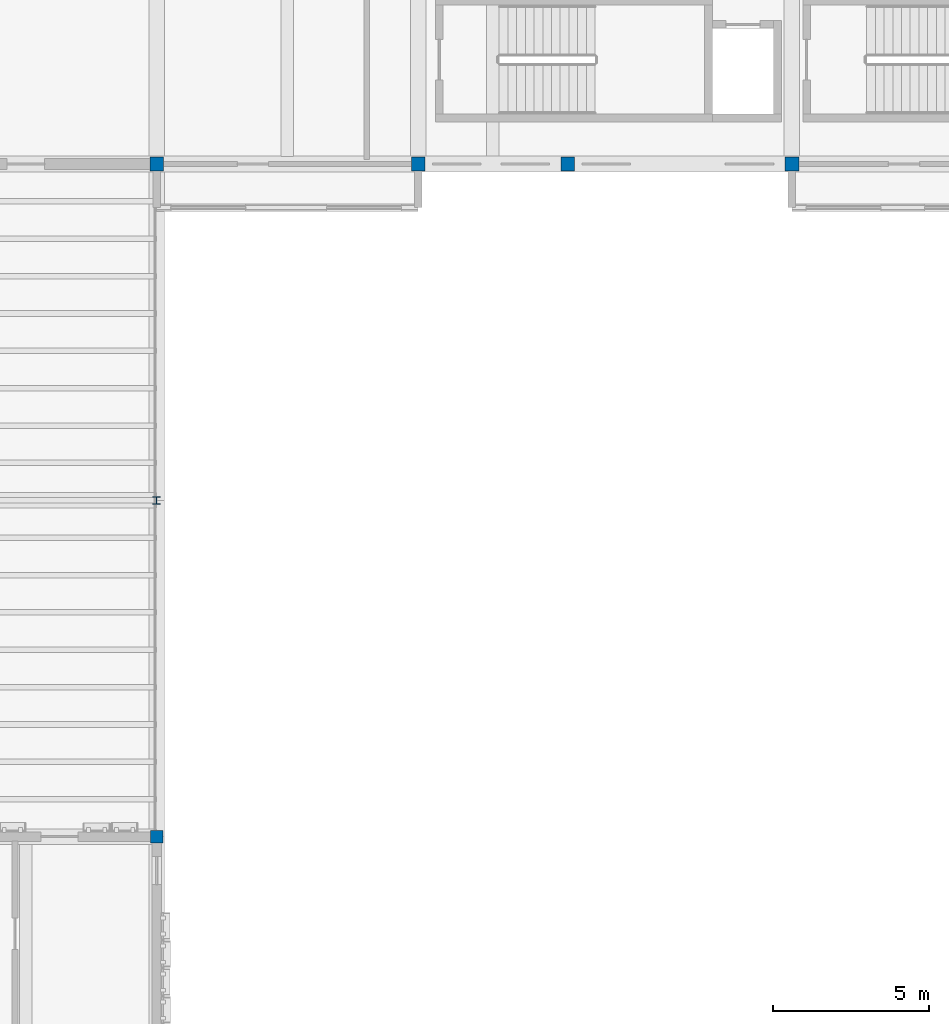
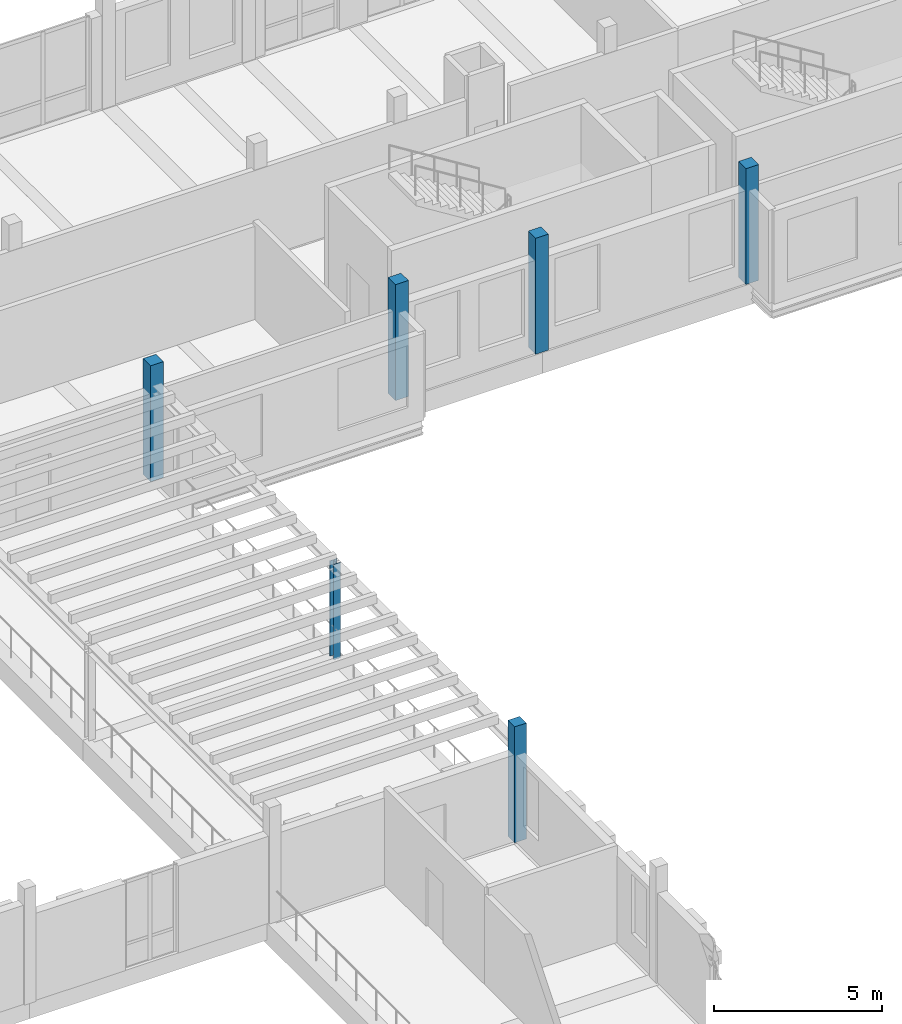
# One storey, part 7 of 99: 6 columns.
"""IFC4 building model written with IfcOpenShell, lengths in metres."""

from ifc_helpers import new_model, si_unit, direction, frame, origin, origin_2d, place, context, subcontext, project, spatial, rectangle, i_section, extrude, material, material_profile, profile_set, type_object, element, save


model = new_model("IFC4")

# Units and contexts
model_context = context("Model", 3, precision=1e-05, world=origin(), true_north=direction((0.0, 1.0)))
body_context = subcontext(model_context, "Body", "Model", "MODEL_VIEW")
ifc_project = project(units=[si_unit("LENGTHUNIT", "METRE"), si_unit("AREAUNIT", "SQUARE_METRE"), si_unit("VOLUMEUNIT", "CUBIC_METRE"), si_unit("PLANEANGLEUNIT", "RADIAN"), si_unit("MASSUNIT", "GRAM", prefix="KILO")], contexts=[model_context])

# Site, building, storey
site_placement = place(None, origin())
site = spatial("IfcSite", under=ifc_project, at=site_placement, CompositionType="ELEMENT")
building_placement = place(site_placement, origin())
building = spatial("IfcBuilding", under=site, at=building_placement, Name="Kahlenmark Community Centre", CompositionType="ELEMENT")
storey_placement = place(building_placement, frame((0.0, 0.0, 5.39990234375)))
storey = spatial("IfcBuildingStorey", under=building, at=storey_placement, Name="L01", CompositionType="ELEMENT", Elevation=5.39990234375)

# Columns
ifc_material_1 = material(Name="Glulam GL32h", Category="wood")
ifc_material_profile_1 = material_profile(ifc_material_1, rectangle(XDim=0.39990234375, YDim=0.39990234375, at=origin_2d()), Name="GL32h 400x400")
ifc_profile_set_1 = profile_set([ifc_material_profile_1], Name="Glulam GL32h")
column_type_1 = type_object("IfcColumnType", Name="CT-GL400", PredefinedType="COLUMN", material=ifc_profile_set_1)
column_1_placement = place(storey_placement, frame((37.60009765625, 76.0, 0.0), z_axis=(0.0, 0.0, 1.0), x_axis=(1.0, 0.0, 0.0)))
element("IfcColumn", 1, at=column_1_placement, inside=storey, type_object=column_type_1, Name="L01 column (37.6, 76.0)", PredefinedType="COLUMN", context=body_context, shape_type="SweptSolid", body=[
    extrude(rectangle(XDim=0.39990234375, YDim=0.39990234375, at=origin_2d()), origin(), (0.0, 0.0, 1.0), 4.2001953125),
])
ifc_material_profile_2 = material_profile(ifc_material_1, rectangle(XDim=0.43994140625, YDim=0.43994140625, at=origin_2d()), Name="GL32h 440x440")
ifc_profile_set_2 = profile_set([ifc_material_profile_2], Name="Glulam GL32h")
column_type_2 = type_object("IfcColumnType", Name="CT-GL440", PredefinedType="COLUMN", material=ifc_profile_set_2)
for number, where, z_axis, x_axis, name in (
    (2, (37.60009765625, 97.60009765625, 0.0), (0.0, 0.0, 1.0), (1.0, 0.0, 0.0), "L01 column (37.6, 97.6)"),
    (3, (46.0, 97.60009765625, 0.0), (0.0, 0.0, 1.0), (1.0, 0.0, 0.0), "L01 column (46.0, 97.6)"),
    (4, (50.800048828125, 97.60009765625, 0.0), (0.0, 0.0, 1.0), (1.0, 0.0, 0.0), "L01 column (50.8, 97.6)"),
    (5, (58.0, 97.60009765625, 0.0), (0.0, 0.0, 1.0), (1.0, 0.0, 0.0), "L01 column (58.0, 97.6)"),
):
    element("IfcColumn", number, at=place(storey_placement, frame(where, z_axis=z_axis, x_axis=x_axis)), inside=storey, type_object=column_type_2, Name=name, PredefinedType="COLUMN", context=body_context, shape_type="SweptSolid", body=[
        extrude(rectangle(XDim=0.43994140625, YDim=0.43994140625, at=origin_2d()), origin(), (0.0, 0.0, 1.0), 4.2001953125),
    ])
ifc_material_2 = material(Name="Steel S355", Category="steel")
ifc_material_profile_3 = material_profile(ifc_material_2, i_section(OverallWidth=0.239990234375, OverallDepth=0.239990234375, WebThickness=0.010009765625, FlangeThickness=0.01708984375, at=origin_2d()), Name="HEB 240")
ifc_profile_set_3 = profile_set([ifc_material_profile_3], Name="Steel S355")
column_type_3 = type_object("IfcColumnType", Name="CT-HEB240", PredefinedType="COLUMN", material=ifc_profile_set_3)
column_2_placement = place(storey_placement, frame((37.60009765625, 86.800048828125, 0.0), z_axis=(0.0, 0.0, 1.0), x_axis=(1.0, 0.0, 0.0)))
element("IfcColumn", 6, at=column_2_placement, inside=storey, type_object=column_type_3, Name="Terrace pergola column (37.6, 86.8)", PredefinedType="COLUMN", context=body_context, shape_type="SweptSolid", body=[
    extrude(i_section(OverallWidth=0.239990234375, OverallDepth=0.239990234375, WebThickness=0.010009765625, FlangeThickness=0.01708984375, at=origin_2d()), origin(), (0.0, 0.0, 1.0), 3.4501953125),
])

save(model, "model.ifc")
